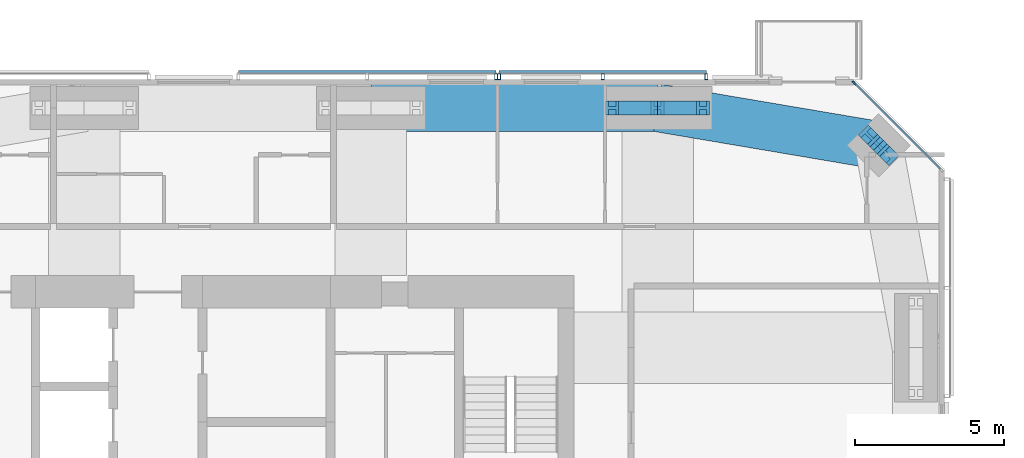
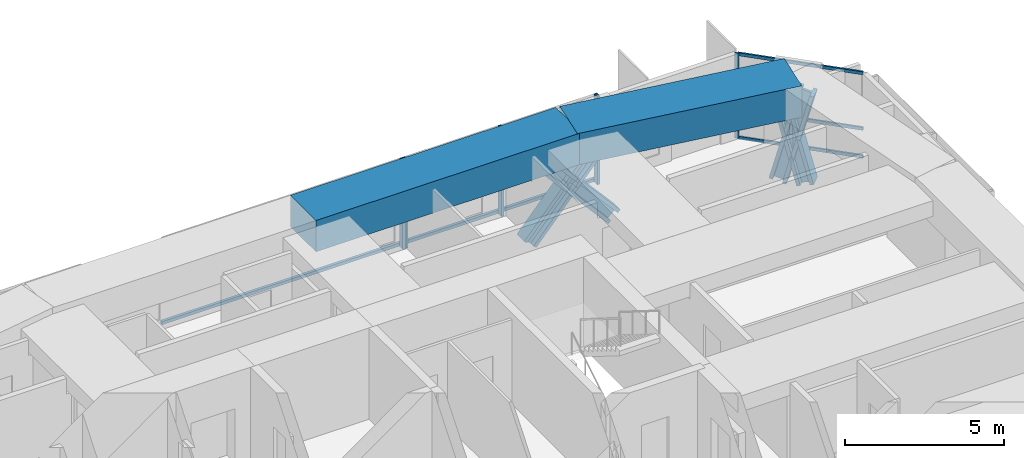
# One storey, part 10 of 18: 18 members, 2 beams, 3 elements without a shape of their own.
"""IFC4 building model written with IfcOpenShell, lengths in metres."""

from ifc_helpers import new_model, si_unit, direction, frame, origin, origin_2d, place, context, subcontext, project, spatial, rectangle, hollow_rectangle, i_section, extrude, material, material_profile, profile_set, type_object, element, aggregate, save


model = new_model("IFC4")

# Units and contexts
model_context = context("Model", 3, precision=1e-05, world=origin(), true_north=direction((0.0, 1.0)))
body_context = subcontext(model_context, "Body", "Model", "MODEL_VIEW")
ifc_project = project(units=[si_unit("LENGTHUNIT", "METRE"), si_unit("AREAUNIT", "SQUARE_METRE"), si_unit("VOLUMEUNIT", "CUBIC_METRE"), si_unit("PLANEANGLEUNIT", "RADIAN"), si_unit("MASSUNIT", "GRAM", prefix="KILO")], contexts=[model_context])

# Site, building, storey
site_placement = place(None, origin())
site = spatial("IfcSite", under=ifc_project, at=site_placement, CompositionType="ELEMENT")
building_placement = place(site_placement, origin())
building = spatial("IfcBuilding", under=site, at=building_placement, Name="Jalousie Tower", CompositionType="ELEMENT")
storey_placement = place(building_placement, frame((0.0, 0.0, 235.449951171875)))
storey = spatial("IfcBuildingStorey", under=building, at=storey_placement, Name="L64", CompositionType="ELEMENT", Elevation=235.449951171875)

# Curtain wall, members
ifc_material_1 = material(Name="Aluminium curtain wall", Category="aluminium")
curtain_wall_type_1 = type_object("IfcCurtainWallType", Name="CORNER WINDOW WALL", PredefinedType="USERDEFINED", material=ifc_material_1)
curtain_wall_1_placement = place(storey_placement, origin())
curtain_wall_1 = element("IfcCurtainWall", 1, at=curtain_wall_1_placement, inside=storey, type_object=curtain_wall_type_1, Name="Corner Window Wall L64 4", ObjectType="CORNER WINDOW WALL", PredefinedType="USERDEFINED")
ifc_material_2 = material(Name="Aluminium mullion", Category="aluminium")
ifc_material_profile_1 = material_profile(ifc_material_2, rectangle(XDim=0.06005859375, YDim=0.14990234375, at=origin_2d()), Name="MULLION 60x150")
ifc_profile_set_1 = profile_set([ifc_material_profile_1], Name="Aluminium mullion")
member_type_1 = type_object("IfcMemberType", Name="CORNER WINDOW WALL MULLION", PredefinedType="MULLION", material=ifc_profile_set_1)
member_1_placement = place(storey_placement, frame((53.469970703125, 33.891357421875, 0.0), z_axis=(0.0, 0.0, 1.0), x_axis=(-0.707106781187, -0.707106781187, 0.0)))
member_1 = element("IfcMember", 2, at=member_1_placement, type_object=member_type_1, Name="CW-C mullion 2", PredefinedType="MULLION", context=body_context, shape_type="SweptSolid", body=[
    extrude(rectangle(XDim=0.06005859375, YDim=0.14990234375, at=origin_2d()), origin(), (0.0, 0.0, 1.0), 3.260009765625),
])
ifc_material_3 = material(Name="Aluminium transom", Category="aluminium")
ifc_material_profile_2 = material_profile(ifc_material_3, rectangle(XDim=0.06005859375, YDim=0.1201171875, at=origin_2d()), Name="TRANSOM 60x120")
ifc_profile_set_2 = profile_set([ifc_material_profile_2], Name="Aluminium transom")
member_type_2 = type_object("IfcMemberType", Name="CORNER WINDOW WALL TRANSOM", PredefinedType="USERDEFINED", material=ifc_profile_set_2)
member_2_placement = place(storey_placement, frame((56.3701171875, 30.9912109375, 0.030029296875), z_axis=(-0.707106781187, 0.707106781187, 0.0), x_axis=(-0.707106781187, -0.707106781187, 0.0)))
member_2 = element("IfcMember", 3, at=member_2_placement, type_object=member_type_2, Name="CW-C transom 1.1", ObjectType="TRANSOM", PredefinedType="USERDEFINED", context=body_context, shape_type="SweptSolid", body=[
    extrude(rectangle(XDim=0.06005859375, YDim=0.1201171875, at=origin_2d()), origin(), (0.0, 0.0, 1.0), 4.0712890625),
])
member_3_placement = place(storey_placement, frame((56.3701171875, 30.9912109375, 1.10009765625), z_axis=(-0.707106781187, 0.707106781187, 0.0), x_axis=(-0.707106781187, -0.707106781187, 0.0)))
member_3 = element("IfcMember", 4, at=member_3_placement, type_object=member_type_2, Name="CW-C transom 1.2", ObjectType="TRANSOM", PredefinedType="USERDEFINED", context=body_context, shape_type="SweptSolid", body=[
    extrude(rectangle(XDim=0.06005859375, YDim=0.1201171875, at=origin_2d()), origin(), (0.0, 0.0, 1.0), 4.0712890625),
])
member_4_placement = place(storey_placement, frame((56.3701171875, 30.9912109375, 3.22998046875), z_axis=(-0.707106781187, 0.707106781187, 0.0), x_axis=(-0.707106781187, -0.707106781187, 0.0)))
member_4 = element("IfcMember", 5, at=member_4_placement, type_object=member_type_2, Name="CW-C transom 1.3", ObjectType="TRANSOM", PredefinedType="USERDEFINED", context=body_context, shape_type="SweptSolid", body=[
    extrude(rectangle(XDim=0.06005859375, YDim=0.1201171875, at=origin_2d()), origin(), (0.0, 0.0, 1.0), 4.0712890625),
])
aggregate(curtain_wall_1, [member_1, member_2, member_3, member_4])

# Members
ifc_material_4 = material(Name="Steel ASTM A992 Grade 50", Category="steel")
ifc_material_profile_3 = material_profile(ifc_material_4, i_section(OverallWidth=0.472412109375, OverallDepth=0.5791015625, WebThickness=0.094970703125, FlangeThickness=0.1298828125, at=origin_2d()), Name="W14X808")
ifc_profile_set_3 = profile_set([ifc_material_profile_3], Name="Steel ASTM A992 Grade 50")
member_type_3 = type_object("IfcMemberType", Name="PERIMETER BRACE W14X808", PredefinedType="BRACE", material=ifc_profile_set_3)
for number, where, z_axis, x_axis, name in (
    (6, (54.611083984375, 31.474609375, -0.599853515625), (-0.176051427143, 0.17618653952, 0.968485517854), (-0.707377963048, -0.706835495285, 0.0), "Perimeter brace 08 L64 part 1"),
    (7, (54.29296875, 31.79296875, 1.150146484375), (-0.17618653952, 0.176051427143, 0.968485517854), (-0.706835495285, -0.707377963048, 0.0), "Perimeter brace 08 L64 part 2"),
    (8, (53.974609375, 32.111083984375, -0.599853515625), (0.17618653952, -0.176051427143, 0.968485517854), (0.706835495285, 0.707377963048, 0.0), "Perimeter brace 08 L64 part 3"),
    (9, (54.29296875, 31.79296875, 1.150146484375), (0.176051427143, -0.17618653952, 0.968485517854), (0.707377963048, 0.706835495285, 0.0), "Perimeter brace 08 L64 part 4"),
):
    element("IfcMember", number, at=place(storey_placement, frame(where, z_axis=z_axis, x_axis=x_axis)), inside=storey, type_object=member_type_3, Name=name, PredefinedType="BRACE", context=body_context, shape_type="SweptSolid", body=[
        extrude(i_section(OverallWidth=0.472412109375, OverallDepth=0.5791015625, WebThickness=0.094970703125, FlangeThickness=0.1298828125, at=origin_2d()), origin(), (0.0, 0.0, 1.0), 1.806884765625),
    ])
for number, where, z_axis, x_axis, name in (
    (10, (45.35009765625, 33.050048828125, -0.599853515625), (0.65695436777, 0.0, 0.753930340726), (0.0, 1.0, 0.0), "Perimeter brace 09 L64 part 1"),
    (11, (46.875, 33.050048828125, 1.150146484375), (0.65695436777, 0.0, 0.753930340726), (0.0, 1.0, 0.0), "Perimeter brace 09 L64 part 2"),
    (12, (48.39990234375, 33.050048828125, -0.599853515625), (-0.65695436777, 0.0, 0.753930340726), (0.0, -1.0, 0.0), "Perimeter brace 09 L64 part 3"),
    (13, (46.875, 33.050048828125, 1.150146484375), (-0.65695436777, 0.0, 0.753930340726), (0.0, -1.0, 0.0), "Perimeter brace 09 L64 part 4"),
):
    element("IfcMember", number, at=place(storey_placement, frame(where, z_axis=z_axis, x_axis=x_axis)), inside=storey, type_object=member_type_3, Name=name, PredefinedType="BRACE", context=body_context, shape_type="SweptSolid", body=[
        extrude(i_section(OverallWidth=0.472412109375, OverallDepth=0.5791015625, WebThickness=0.094970703125, FlangeThickness=0.1298828125, at=origin_2d()), origin(), (0.0, 0.0, 1.0), 2.3212890625),
    ])

# Beams
ifc_material_5 = material(Name="Concrete f'c 40 MPa", Category="concrete")
ifc_material_profile_4 = material_profile(ifc_material_5, rectangle(XDim=1.60009765625, YDim=1.199951171875, at=origin_2d()), Name="RC 1600x1200")
ifc_profile_set_4 = profile_set([ifc_material_profile_4], Name="Concrete f'c 40 MPa")
beam_type = type_object("IfcBeamType", Name="RC BEAM 1600x1200", PredefinedType="BEAM", material=ifc_profile_set_4)
beam_1_placement = place(storey_placement, frame((54.29296875, 31.79296875, 2.900146484375), z_axis=(-0.985942997446, 0.167082033105, 0.0), x_axis=(-0.167082033105, -0.985942997446, 0.0)))
element("IfcBeam", 14, at=beam_1_placement, inside=storey, type_object=beam_type, Name="Edge band beam 08-09 under L65", PredefinedType="BEAM", context=body_context, shape_type="SweptSolid", body=[
    extrude(rectangle(XDim=1.60009765625, YDim=1.199951171875, at=origin_2d()), origin(), (0.0, 0.0, 1.0), 7.523681640625),
])
beam_2_placement = place(storey_placement, frame((46.875, 33.050048828125, 2.900146484375), z_axis=(-1.0, 0.0, 0.0), x_axis=(0.0, -1.0, 0.0)))
element("IfcBeam", 15, at=beam_2_placement, inside=storey, type_object=beam_type, Name="Edge band beam 09-10 under L65", PredefinedType="BEAM", context=body_context, shape_type="SweptSolid", body=[
    extrude(rectangle(XDim=1.60009765625, YDim=1.199951171875, at=origin_2d()), origin(), (0.0, 0.0, 1.0), 9.625),
])

# Curtain wall, members
ifc_material_6 = material(Name="Perforated aluminium sheet", Category="aluminium")
curtain_wall_type_2 = type_object("IfcCurtainWallType", Name="SOLAR SCREEN SS-2", PredefinedType="USERDEFINED", material=ifc_material_6)
curtain_wall_2_placement = place(storey_placement, origin())
curtain_wall_2 = element("IfcCurtainWall", 16, at=curtain_wall_2_placement, inside=storey, type_object=curtain_wall_type_2, Name="Solar screen L64", ObjectType="SOLAR SCREEN SS-2", PredefinedType="USERDEFINED")
ifc_material_7 = material(Name="Steel ASTM A500 Grade C", Category="steel")
ifc_material_profile_5 = material_profile(ifc_material_7, hollow_rectangle(XDim=0.1015625, YDim=0.203125, WallThickness=0.0078125, at=origin_2d()), Name="HSS8X4X5/16")
ifc_profile_set_5 = profile_set([ifc_material_profile_5], Name="Steel ASTM A500 Grade C")
member_type_4 = type_object("IfcMemberType", Name="SOLAR SCREEN SS-2 MULLION", PredefinedType="MULLION", material=ifc_profile_set_5)
member_5_placement = place(storey_placement, frame((48.513427734375, 34.0966796875, -0.119873046875), z_axis=(0.0, 0.0, 1.0), x_axis=(-1.0, 0.0, 0.0)))
member_5 = element("IfcMember", 17, at=member_5_placement, type_object=member_type_4, Name="SS2 post 1", PredefinedType="MULLION", context=body_context, shape_type="SweptSolid", body=[
    extrude(hollow_rectangle(XDim=0.1015625, YDim=0.203125, WallThickness=0.0078125, at=origin_2d()), origin(), (0.0, 0.0, 1.0), 3.3798828125),
])
member_6_placement = place(storey_placement, frame((45.03173828125, 34.0966796875, -0.119873046875), z_axis=(0.0, 0.0, 1.0), x_axis=(-1.0, 0.0, 0.0)))
member_6 = element("IfcMember", 18, at=member_6_placement, type_object=member_type_4, Name="SS2 post 2", PredefinedType="MULLION", context=body_context, shape_type="SweptSolid", body=[
    extrude(hollow_rectangle(XDim=0.1015625, YDim=0.203125, WallThickness=0.0078125, at=origin_2d()), origin(), (0.0, 0.0, 1.0), 3.3798828125),
])
member_7_placement = place(storey_placement, frame((41.550048828125, 34.0966796875, -0.119873046875), z_axis=(0.0, 0.0, 1.0), x_axis=(-1.0, 0.0, 0.0)))
member_7 = element("IfcMember", 19, at=member_7_placement, type_object=member_type_4, Name="SS2 post 3", PredefinedType="MULLION", context=body_context, shape_type="SweptSolid", body=[
    extrude(hollow_rectangle(XDim=0.1015625, YDim=0.203125, WallThickness=0.0078125, at=origin_2d()), origin(), (0.0, 0.0, 1.0), 3.3798828125),
])

# Curtain wall, member
curtain_wall_3_placement = place(storey_placement, origin())
curtain_wall_3 = element("IfcCurtainWall", 20, at=curtain_wall_3_placement, inside=storey, type_object=curtain_wall_type_2, Name="Solar screen L64", ObjectType="SOLAR SCREEN SS-2", PredefinedType="USERDEFINED")
member_8_placement = place(storey_placement, frame((41.449951171875, 34.0966796875, -0.119873046875), z_axis=(0.0, 0.0, 1.0), x_axis=(-1.0, 0.0, 0.0)))
member_8 = element("IfcMember", 21, at=member_8_placement, type_object=member_type_4, Name="SS2 post 1", PredefinedType="MULLION", context=body_context, shape_type="SweptSolid", body=[
    extrude(hollow_rectangle(XDim=0.1015625, YDim=0.203125, WallThickness=0.0078125, at=origin_2d()), origin(), (0.0, 0.0, 1.0), 3.3798828125),
])

# Member
ifc_material_8 = material(Name="Extruded aluminium screen rail", Category="aluminium")
ifc_material_profile_6 = material_profile(ifc_material_8, rectangle(XDim=0.1015625, YDim=0.1201171875, at=origin_2d()), Name="RAIL 102x120")
ifc_profile_set_6 = profile_set([ifc_material_profile_6], Name="Extruded aluminium screen rail")
member_type_5 = type_object("IfcMemberType", Name="SOLAR SCREEN SS-2 TRANSOM", PredefinedType="USERDEFINED", material=ifc_profile_set_6)
member_9_placement = place(storey_placement, frame((48.513427734375, 34.2490234375, -0.06005859375), z_axis=(-1.0, 0.0, 0.0), x_axis=(0.0, -1.0, 0.0)))
member_9 = element("IfcMember", 22, at=member_9_placement, type_object=member_type_5, Name="SS2 rail", ObjectType="TRANSOM", PredefinedType="USERDEFINED", context=body_context, shape_type="SweptSolid", body=[
    extrude(rectangle(XDim=0.1015625, YDim=0.1201171875, at=origin_2d()), origin(), (0.0, 0.0, 1.0), 6.96337890625),
])

aggregate(curtain_wall_2, [member_5, member_6, member_7, member_9])

member_10_placement = place(storey_placement, frame((41.449951171875, 34.2490234375, -0.06005859375), z_axis=(-1.0, 0.0, 0.0), x_axis=(0.0, -1.0, 0.0)))
member_10 = element("IfcMember", 23, at=member_10_placement, type_object=member_type_5, Name="SS2 rail", ObjectType="TRANSOM", PredefinedType="USERDEFINED", context=body_context, shape_type="SweptSolid", body=[
    extrude(rectangle(XDim=0.1015625, YDim=0.1201171875, at=origin_2d()), origin(), (0.0, 0.0, 1.0), 8.64990234375),
])

aggregate(curtain_wall_3, [member_8, member_10])

save(model, "model.ifc")
